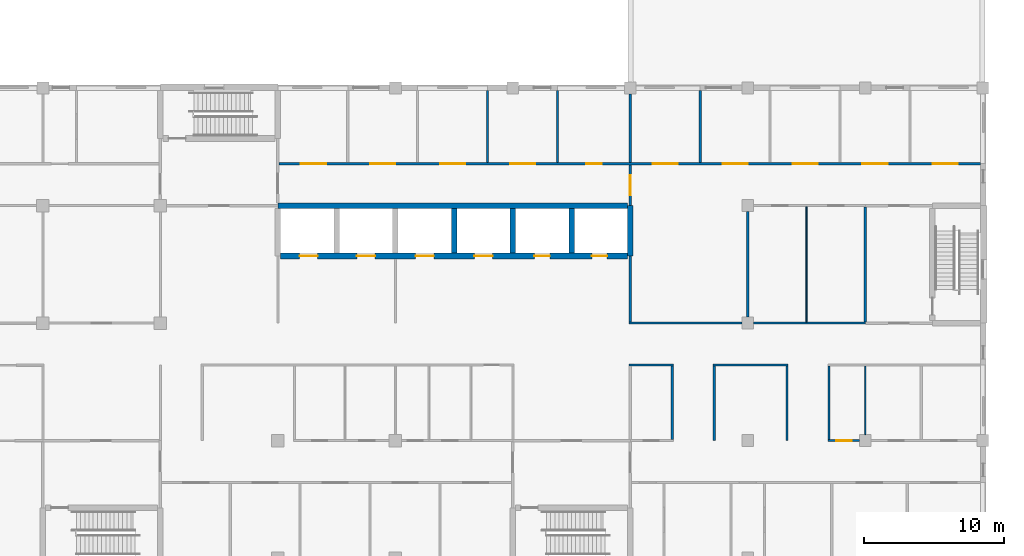
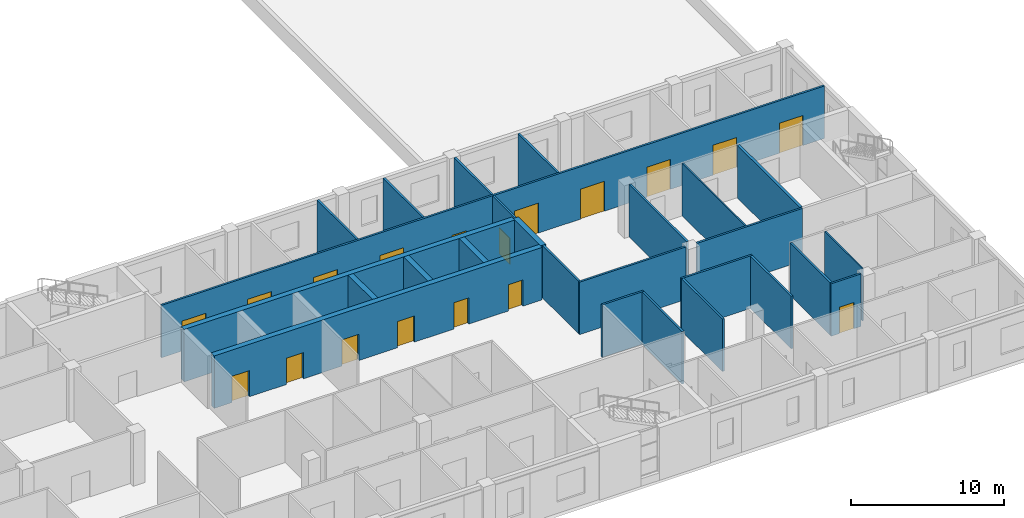
# One storey, part 47 of 66: 26 walls, 18 doors, 18 openings.
"""IFC4 building model written with IfcOpenShell, lengths in metres."""

from ifc_helpers import new_model, si_unit, direction, frame, frame_2d, origin, place, context, subcontext, project, spatial, rectangle, extrude, material, layer, layer_set, type_object, element, fill, save


model = new_model("IFC4")

# Units and contexts
model_context = context("Model", 3, precision=1e-05, world=origin(), true_north=direction((0.0, 1.0)))
body_context = subcontext(model_context, "Body", "Model", "MODEL_VIEW")
ifc_project = project(units=[si_unit("LENGTHUNIT", "METRE"), si_unit("AREAUNIT", "SQUARE_METRE"), si_unit("VOLUMEUNIT", "CUBIC_METRE"), si_unit("PLANEANGLEUNIT", "RADIAN"), si_unit("MASSUNIT", "GRAM", prefix="KILO")], contexts=[model_context])

# Site, building, storey
site_placement = place(None, origin())
site = spatial("IfcSite", under=ifc_project, at=site_placement, CompositionType="ELEMENT")
building_placement = place(site_placement, origin())
building = spatial("IfcBuilding", under=site, at=building_placement, Name="Yavir Park General Hospital", CompositionType="ELEMENT")
storey_placement = place(building_placement, frame((0.0, 0.0, 8.39990234375)))
storey = spatial("IfcBuildingStorey", under=building, at=storey_placement, Name="L02", CompositionType="ELEMENT", Elevation=8.39990234375)

# Walls
ifc_material_1 = material(Name="Double gypsum board fire partition on steel studs", Category="steel")
ifc_layer_1 = layer(ifc_material_1, 0.199951171875)
ifc_layer_set_1 = layer_set([ifc_layer_1], Name="Double gypsum board fire partition on steel studs")
wall_type_1 = type_object("IfcWallType", Name="Fire-rated partition 200, EI 60", PredefinedType="PARTITIONING", material=ifc_layer_set_1)
wall_1_placement = place(storey_placement, frame((159.60009765625, 16.89990234375, 0.0), z_axis=(0.0, 0.0, 1.0), x_axis=(0.0, 1.0, 0.0)))
element("IfcWall", 1, at=wall_1_placement, inside=storey, type_object=wall_type_1, Name="FP20 L02-337", PredefinedType="PARTITIONING", context=body_context, shape_type="SweptSolid", body=[
    extrude(rectangle(XDim=8.2001953125, YDim=0.199951171875, at=frame_2d((4.10009765625, 0.0))), origin(), (0.0, 0.0, 1.0), 4.2001953125),
])
ifc_material_2 = material(Name="Gypsum board partition on steel studs", Category="steel")
ifc_layer_2 = layer(ifc_material_2, 0.10009765625)
ifc_layer_set_2 = layer_set([ifc_layer_2], Name="Gypsum board partition on steel studs")
wall_type_2 = type_object("IfcWallType", Name="Gypsum board partition 100", PredefinedType="PARTITIONING", material=ifc_layer_set_2)
wall_2_placement = place(storey_placement, frame((155.39990234375, 16.875, 0.0), z_axis=(0.0, 0.0, 1.0), x_axis=(0.0, 1.0, 0.0)))
element("IfcWall", 2, at=wall_2_placement, inside=storey, type_object=wall_type_2, Name="P10 L02-331", PredefinedType="PARTITIONING", context=body_context, shape_type="SweptSolid", body=[
    extrude(rectangle(XDim=8.25, YDim=0.10009765625, at=frame_2d((4.125, 0.0))), origin(), (0.0, 0.0, 1.0), 4.2001953125),
])
wall_3_placement = place(storey_placement, frame((159.60009765625, 8.824951171875, 0.0), z_axis=(0.0, 0.0, 1.0), x_axis=(0.0, 1.0, 0.0)))
element("IfcWall", 3, at=wall_3_placement, inside=storey, type_object=wall_type_2, Name="P10 L02-336", PredefinedType="PARTITIONING", context=body_context, shape_type="SweptSolid", body=[
    extrude(rectangle(XDim=4.900146484375, YDim=0.10009765625, at=frame_2d((2.4501953125, 0.0))), origin(), (0.0, 0.0, 1.0), 4.2001953125),
])

# Wall, opening, door
ifc_material_3 = material(Name="Gypsum board partition on steel studs", Category="steel")
ifc_layer_3 = layer(ifc_material_3, 0.14990234375)
ifc_layer_set_3 = layer_set([ifc_layer_3], Name="Gypsum board partition on steel studs")
wall_type_3 = type_object("IfcWallType", Name="Gypsum board partition 150", PredefinedType="PARTITIONING", material=ifc_layer_set_3)
wall_4_placement = place(storey_placement, frame((156.925048828125, 8.39990234375, 0.0), z_axis=(0.0, 0.0, 1.0), x_axis=(1.0, 0.0, 0.0)))
wall_4 = element("IfcWall", 4, at=wall_4_placement, inside=storey, type_object=wall_type_3, Name="P15 L02-024", PredefinedType="PARTITIONING", context=body_context, shape_type="SweptSolid", body=[
    extrude(rectangle(XDim=2.25, YDim=0.14990234375, at=frame_2d((1.125, 0.0))), origin(), (0.0, 0.0, 1.0), 4.2001953125),
])
opening_1_placement = place(wall_4_placement, frame((0.612548828125, 0.0, 0.0)))
opening_1 = element("IfcOpeningElement", 5, at=opening_1_placement, cuts=wall_4, Name="Opening L02.D036", PredefinedType="OPENING", context=body_context, shape_type="SweptSolid", body=[
    extrude(rectangle(XDim=1.10009765625, YDim=2.10009765625, at=frame_2d((0.550048828125, 1.050048828125))), frame((0.0, 0.0849609375, 0.0), z_axis=(0.0, -1.0, 0.0), x_axis=(1.0, 0.0, 0.0)), (0.0, 0.0, 1.0), 0.169921875),
])
ifc_material_4 = material(Name="Hollow metal frame, solid-core timber leaf", Category="wood")
door_type_1 = type_object("IfcDoorType", Name="Single swing door 1100 x 2100", OperationType="SINGLE_SWING_LEFT", PredefinedType="DOOR", material=ifc_material_4)
door_1_placement = place(opening_1_placement, origin())
door_1 = element("IfcDoor", 6, at=door_1_placement, inside=storey, type_object=door_type_1, Name="L02.D036", OperationType="SINGLE_SWING_RIGHT", OverallHeight=2.10009765625, OverallWidth=1.10009765625, PredefinedType="DOOR", context=body_context, shape_type="SweptSolid", body=[
    extrude(rectangle(XDim=1.10009765625, YDim=2.10009765625, at=frame_2d((0.550048828125, 1.050048828125))), frame((0.0, 0.02490234375, 0.0), z_axis=(0.0, -1.0, 0.0), x_axis=(1.0, 0.0, 0.0)), (0.0, 0.0, 1.0), 0.050048828125),
])
fill(opening_1, door_1)

# Walls
wall_5_placement = place(storey_placement, frame((142.72509765625, 13.800048828125, 0.0), z_axis=(0.0, 0.0, 1.0), x_axis=(1.0, 0.0, 0.0)))
element("IfcWall", 7, at=wall_5_placement, inside=storey, type_object=wall_type_3, Name="P15 L02-031", PredefinedType="PARTITIONING", context=body_context, shape_type="SweptSolid", body=[
    extrude(rectangle(XDim=3.14990234375, YDim=0.14990234375, at=frame_2d((1.574951171875, 0.0))), origin(), (0.0, 0.0, 1.0), 4.2001953125),
])
wall_6_placement = place(storey_placement, frame((148.72509765625, 13.800048828125, 0.0), z_axis=(0.0, 0.0, 1.0), x_axis=(1.0, 0.0, 0.0)))
element("IfcWall", 8, at=wall_6_placement, inside=storey, type_object=wall_type_3, Name="P15 L02-032", PredefinedType="PARTITIONING", context=body_context, shape_type="SweptSolid", body=[
    extrude(rectangle(XDim=5.349853515625, YDim=0.14990234375, at=frame_2d((2.6748046875, 0.0))), origin(), (0.0, 0.0, 1.0), 4.2001953125),
])
wall_7_placement = place(storey_placement, frame((142.72509765625, 16.800048828125, 0.0), z_axis=(0.0, 0.0, 1.0), x_axis=(1.0, 0.0, 0.0)))
element("IfcWall", 9, at=wall_7_placement, inside=storey, type_object=wall_type_3, Name="P15 L02-045", PredefinedType="PARTITIONING", context=body_context, shape_type="SweptSolid", body=[
    extrude(rectangle(XDim=8.0498046875, YDim=0.14990234375, at=frame_2d((4.02490234375, 0.0))), origin(), (0.0, 0.0, 1.0), 4.2001953125),
])
wall_8_placement = place(storey_placement, frame((151.625, 16.800048828125, 0.0), z_axis=(0.0, 0.0, 1.0), x_axis=(1.0, 0.0, 0.0)))
element("IfcWall", 10, at=wall_8_placement, inside=storey, type_object=wall_type_3, Name="P15 L02-046", PredefinedType="PARTITIONING", context=body_context, shape_type="SweptSolid", body=[
    extrude(rectangle(XDim=7.97509765625, YDim=0.14990234375, at=frame_2d((3.987548828125, 0.0))), origin(), (0.0, 0.0, 1.0), 4.2001953125),
])

# Wall, openings, doors
wall_9_placement = place(storey_placement, frame((117.699951171875, 28.199951171875, 0.0), z_axis=(0.0, 0.0, 1.0), x_axis=(1.0, 0.0, 0.0)))
wall_9 = element("IfcWall", 11, at=wall_9_placement, inside=storey, type_object=wall_type_3, Name="P15 L02-077", PredefinedType="PARTITIONING", context=body_context, shape_type="SweptSolid", body=[
    extrude(rectangle(XDim=50.150146484375, YDim=0.14990234375, at=frame_2d((25.0751953125, 0.0))), origin(), (0.0, 0.0, 1.0), 4.2001953125),
])
opening_2_placement = place(wall_9_placement, frame((1.550048828125, 0.0, 0.0)))
opening_2 = element("IfcOpeningElement", 12, at=opening_2_placement, cuts=wall_9, Name="Opening L02.D089", PredefinedType="OPENING", context=body_context, shape_type="SweptSolid", body=[
    extrude(rectangle(XDim=1.800048828125, YDim=2.39990234375, at=frame_2d((0.89990234375, 1.199951171875))), frame((0.0, 0.0849609375, 0.0), z_axis=(0.0, -1.0, 0.0), x_axis=(1.0, 0.0, 0.0)), (0.0, 0.0, 1.0), 0.169921875),
])
opening_3_placement = place(wall_9_placement, frame((6.5, 0.0, 0.0)))
opening_3 = element("IfcOpeningElement", 13, at=opening_3_placement, cuts=wall_9, Name="Opening L02.D090", PredefinedType="OPENING", context=body_context, shape_type="SweptSolid", body=[
    extrude(rectangle(XDim=1.800048828125, YDim=2.39990234375, at=frame_2d((0.89990234375, 1.199951171875))), frame((0.0, 0.0849609375, 0.0), z_axis=(0.0, -1.0, 0.0), x_axis=(1.0, 0.0, 0.0)), (0.0, 0.0, 1.0), 0.169921875),
])
opening_4_placement = place(wall_9_placement, frame((11.5, 0.0, 0.0)))
opening_4 = element("IfcOpeningElement", 14, at=opening_4_placement, cuts=wall_9, Name="Opening L02.D091", PredefinedType="OPENING", context=body_context, shape_type="SweptSolid", body=[
    extrude(rectangle(XDim=1.800048828125, YDim=2.39990234375, at=frame_2d((0.89990234375, 1.199951171875))), frame((0.0, 0.0849609375, 0.0), z_axis=(0.0, -1.0, 0.0), x_axis=(1.0, 0.0, 0.0)), (0.0, 0.0, 1.0), 0.169921875),
])
opening_5_placement = place(wall_9_placement, frame((16.5, 0.0, 0.0)))
opening_5 = element("IfcOpeningElement", 15, at=opening_5_placement, cuts=wall_9, Name="Opening L02.D092", PredefinedType="OPENING", context=body_context, shape_type="SweptSolid", body=[
    extrude(rectangle(XDim=1.800048828125, YDim=2.39990234375, at=frame_2d((0.89990234375, 1.199951171875))), frame((0.0, 0.0849609375, 0.0), z_axis=(0.0, -1.0, 0.0), x_axis=(1.0, 0.0, 0.0)), (0.0, 0.0, 1.0), 0.169921875),
])
opening_6_placement = place(wall_9_placement, frame((21.949951171875, 0.0, 0.0)))
opening_6 = element("IfcOpeningElement", 16, at=opening_6_placement, cuts=wall_9, Name="Opening L02.D093", PredefinedType="OPENING", context=body_context, shape_type="SweptSolid", body=[
    extrude(rectangle(XDim=1.10009765625, YDim=2.10009765625, at=frame_2d((0.550048828125, 1.050048828125))), frame((0.0, 0.0849609375, 0.0), z_axis=(0.0, -1.0, 0.0), x_axis=(1.0, 0.0, 0.0)), (0.0, 0.0, 1.0), 0.169921875),
])
opening_7_placement = place(wall_9_placement, frame((26.699951171875, 0.0, 0.0)))
opening_7 = element("IfcOpeningElement", 17, at=opening_7_placement, cuts=wall_9, Name="Opening L02.D094", PredefinedType="OPENING", context=body_context, shape_type="SweptSolid", body=[
    extrude(rectangle(XDim=1.800048828125, YDim=2.39990234375, at=frame_2d((0.89990234375, 1.199951171875))), frame((0.0, 0.0849609375, 0.0), z_axis=(0.0, -1.0, 0.0), x_axis=(1.0, 0.0, 0.0)), (0.0, 0.0, 1.0), 0.169921875),
])
opening_8_placement = place(wall_9_placement, frame((31.699951171875, 0.0, 0.0)))
opening_8 = element("IfcOpeningElement", 18, at=opening_8_placement, cuts=wall_9, Name="Opening L02.D095", PredefinedType="OPENING", context=body_context, shape_type="SweptSolid", body=[
    extrude(rectangle(XDim=1.800048828125, YDim=2.39990234375, at=frame_2d((0.89990234375, 1.199951171875))), frame((0.0, 0.0849609375, 0.0), z_axis=(0.0, -1.0, 0.0), x_axis=(1.0, 0.0, 0.0)), (0.0, 0.0, 1.0), 0.169921875),
])
opening_9_placement = place(wall_9_placement, frame((36.699951171875, 0.0, 0.0)))
opening_9 = element("IfcOpeningElement", 19, at=opening_9_placement, cuts=wall_9, Name="Opening L02.D096", PredefinedType="OPENING", context=body_context, shape_type="SweptSolid", body=[
    extrude(rectangle(XDim=1.800048828125, YDim=2.39990234375, at=frame_2d((0.89990234375, 1.199951171875))), frame((0.0, 0.0849609375, 0.0), z_axis=(0.0, -1.0, 0.0), x_axis=(1.0, 0.0, 0.0)), (0.0, 0.0, 1.0), 0.169921875),
])
opening_10_placement = place(wall_9_placement, frame((41.699951171875, 0.0, 0.0)))
opening_10 = element("IfcOpeningElement", 20, at=opening_10_placement, cuts=wall_9, Name="Opening L02.D097", PredefinedType="OPENING", context=body_context, shape_type="SweptSolid", body=[
    extrude(rectangle(XDim=1.800048828125, YDim=2.39990234375, at=frame_2d((0.89990234375, 1.199951171875))), frame((0.0, 0.0849609375, 0.0), z_axis=(0.0, -1.0, 0.0), x_axis=(1.0, 0.0, 0.0)), (0.0, 0.0, 1.0), 0.169921875),
])
opening_11_placement = place(wall_9_placement, frame((46.72509765625, 0.0, 0.0)))
opening_11 = element("IfcOpeningElement", 21, at=opening_11_placement, cuts=wall_9, Name="Opening L02.D098", PredefinedType="OPENING", context=body_context, shape_type="SweptSolid", body=[
    extrude(rectangle(XDim=1.800048828125, YDim=2.39990234375, at=frame_2d((0.89990234375, 1.199951171875))), frame((0.0, 0.0849609375, 0.0), z_axis=(0.0, -1.0, 0.0), x_axis=(1.0, 0.0, 0.0)), (0.0, 0.0, 1.0), 0.169921875),
])
ifc_material_5 = material(Name="Aluminium frame, safety glass leaves", Category="aluminium")
door_type_2 = type_object("IfcDoorType", Name="Glazed bi-parting sliding door, intensive care 1800 x 2400", OperationType="DOUBLE_DOOR_SLIDING", PredefinedType="DOOR", material=ifc_material_5)
door_2_placement = place(opening_2_placement, origin())
door_2 = element("IfcDoor", 22, at=door_2_placement, inside=storey, type_object=door_type_2, Name="L02.D089", OperationType="DOUBLE_DOOR_SLIDING", OverallHeight=2.39990234375, OverallWidth=1.800048828125, PredefinedType="DOOR", context=body_context, shape_type="SweptSolid", body=[
    extrude(rectangle(XDim=1.800048828125, YDim=2.39990234375, at=frame_2d((0.89990234375, 1.199951171875))), frame((0.0, 0.03515625, 0.0), z_axis=(0.0, -1.0, 0.0), x_axis=(1.0, 0.0, 0.0)), (0.0, 0.0, 1.0), 0.070068359375),
])
fill(opening_2, door_2)
door_3_placement = place(opening_3_placement, origin())
door_3 = element("IfcDoor", 23, at=door_3_placement, inside=storey, type_object=door_type_2, Name="L02.D090", OperationType="DOUBLE_DOOR_SLIDING", OverallHeight=2.39990234375, OverallWidth=1.800048828125, PredefinedType="DOOR", context=body_context, shape_type="SweptSolid", body=[
    extrude(rectangle(XDim=1.800048828125, YDim=2.39990234375, at=frame_2d((0.89990234375, 1.199951171875))), frame((0.0, 0.03515625, 0.0), z_axis=(0.0, -1.0, 0.0), x_axis=(1.0, 0.0, 0.0)), (0.0, 0.0, 1.0), 0.070068359375),
])
fill(opening_3, door_3)
door_4_placement = place(opening_4_placement, origin())
door_4 = element("IfcDoor", 24, at=door_4_placement, inside=storey, type_object=door_type_2, Name="L02.D091", OperationType="DOUBLE_DOOR_SLIDING", OverallHeight=2.39990234375, OverallWidth=1.800048828125, PredefinedType="DOOR", context=body_context, shape_type="SweptSolid", body=[
    extrude(rectangle(XDim=1.800048828125, YDim=2.39990234375, at=frame_2d((0.89990234375, 1.199951171875))), frame((0.0, 0.03515625, 0.0), z_axis=(0.0, -1.0, 0.0), x_axis=(1.0, 0.0, 0.0)), (0.0, 0.0, 1.0), 0.070068359375),
])
fill(opening_4, door_4)
door_5_placement = place(opening_5_placement, origin())
door_5 = element("IfcDoor", 25, at=door_5_placement, inside=storey, type_object=door_type_2, Name="L02.D092", OperationType="DOUBLE_DOOR_SLIDING", OverallHeight=2.39990234375, OverallWidth=1.800048828125, PredefinedType="DOOR", context=body_context, shape_type="SweptSolid", body=[
    extrude(rectangle(XDim=1.800048828125, YDim=2.39990234375, at=frame_2d((0.89990234375, 1.199951171875))), frame((0.0, 0.03515625, 0.0), z_axis=(0.0, -1.0, 0.0), x_axis=(1.0, 0.0, 0.0)), (0.0, 0.0, 1.0), 0.070068359375),
])
fill(opening_5, door_5)
door_6_placement = place(opening_7_placement, origin())
door_6 = element("IfcDoor", 26, at=door_6_placement, inside=storey, type_object=door_type_2, Name="L02.D094", OperationType="DOUBLE_DOOR_SLIDING", OverallHeight=2.39990234375, OverallWidth=1.800048828125, PredefinedType="DOOR", context=body_context, shape_type="SweptSolid", body=[
    extrude(rectangle(XDim=1.800048828125, YDim=2.39990234375, at=frame_2d((0.89990234375, 1.199951171875))), frame((0.0, 0.03515625, 0.0), z_axis=(0.0, -1.0, 0.0), x_axis=(1.0, 0.0, 0.0)), (0.0, 0.0, 1.0), 0.070068359375),
])
fill(opening_7, door_6)
door_7_placement = place(opening_8_placement, origin())
door_7 = element("IfcDoor", 27, at=door_7_placement, inside=storey, type_object=door_type_2, Name="L02.D095", OperationType="DOUBLE_DOOR_SLIDING", OverallHeight=2.39990234375, OverallWidth=1.800048828125, PredefinedType="DOOR", context=body_context, shape_type="SweptSolid", body=[
    extrude(rectangle(XDim=1.800048828125, YDim=2.39990234375, at=frame_2d((0.89990234375, 1.199951171875))), frame((0.0, 0.03515625, 0.0), z_axis=(0.0, -1.0, 0.0), x_axis=(1.0, 0.0, 0.0)), (0.0, 0.0, 1.0), 0.070068359375),
])
fill(opening_8, door_7)
door_8_placement = place(opening_9_placement, origin())
door_8 = element("IfcDoor", 28, at=door_8_placement, inside=storey, type_object=door_type_2, Name="L02.D096", OperationType="DOUBLE_DOOR_SLIDING", OverallHeight=2.39990234375, OverallWidth=1.800048828125, PredefinedType="DOOR", context=body_context, shape_type="SweptSolid", body=[
    extrude(rectangle(XDim=1.800048828125, YDim=2.39990234375, at=frame_2d((0.89990234375, 1.199951171875))), frame((0.0, 0.03515625, 0.0), z_axis=(0.0, -1.0, 0.0), x_axis=(1.0, 0.0, 0.0)), (0.0, 0.0, 1.0), 0.070068359375),
])
fill(opening_9, door_8)
door_9_placement = place(opening_10_placement, origin())
door_9 = element("IfcDoor", 29, at=door_9_placement, inside=storey, type_object=door_type_2, Name="L02.D097", OperationType="DOUBLE_DOOR_SLIDING", OverallHeight=2.39990234375, OverallWidth=1.800048828125, PredefinedType="DOOR", context=body_context, shape_type="SweptSolid", body=[
    extrude(rectangle(XDim=1.800048828125, YDim=2.39990234375, at=frame_2d((0.89990234375, 1.199951171875))), frame((0.0, 0.03515625, 0.0), z_axis=(0.0, -1.0, 0.0), x_axis=(1.0, 0.0, 0.0)), (0.0, 0.0, 1.0), 0.070068359375),
])
fill(opening_10, door_9)
door_10_placement = place(opening_11_placement, origin())
door_10 = element("IfcDoor", 30, at=door_10_placement, inside=storey, type_object=door_type_2, Name="L02.D098", OperationType="DOUBLE_DOOR_SLIDING", OverallHeight=2.39990234375, OverallWidth=1.800048828125, PredefinedType="DOOR", context=body_context, shape_type="SweptSolid", body=[
    extrude(rectangle(XDim=1.800048828125, YDim=2.39990234375, at=frame_2d((0.89990234375, 1.199951171875))), frame((0.0, 0.03515625, 0.0), z_axis=(0.0, -1.0, 0.0), x_axis=(1.0, 0.0, 0.0)), (0.0, 0.0, 1.0), 0.070068359375),
])
fill(opening_11, door_10)
door_11_placement = place(opening_6_placement, origin())
door_11 = element("IfcDoor", 31, at=door_11_placement, inside=storey, type_object=door_type_1, Name="L02.D093", OperationType="SINGLE_SWING_RIGHT", OverallHeight=2.10009765625, OverallWidth=1.10009765625, PredefinedType="DOOR", context=body_context, shape_type="SweptSolid", body=[
    extrude(rectangle(XDim=1.10009765625, YDim=2.10009765625, at=frame_2d((0.550048828125, 1.050048828125))), frame((0.0, 0.02490234375, 0.0), z_axis=(0.0, -1.0, 0.0), x_axis=(1.0, 0.0, 0.0)), (0.0, 0.0, 1.0), 0.050048828125),
])
fill(opening_6, door_11)

# Walls
for number, where, z_axis, x_axis, name in (
    (32, (132.60009765625, 28.27490234375, 0.0), (0.0, 0.0, 1.0), (0.0, 1.0, 0.0), "P15 L02-306"),
    (33, (137.60009765625, 28.27490234375, 0.0), (0.0, 0.0, 1.0), (0.0, 1.0, 0.0), "P15 L02-311"),
):
    element("IfcWall", number, at=place(storey_placement, frame(where, z_axis=z_axis, x_axis=x_axis)), inside=storey, type_object=wall_type_3, Name=name, PredefinedType="PARTITIONING", context=body_context, shape_type="SweptSolid", body=[
        extrude(rectangle(XDim=5.175048828125, YDim=0.14990234375, at=frame_2d((2.58740234375, 0.0))), origin(), (0.0, 0.0, 1.0), 4.2001953125),
    ])
wall_10_placement = place(storey_placement, frame((142.800048828125, 16.875, 0.0), z_axis=(0.0, 0.0, 1.0), x_axis=(0.0, 1.0, 0.0)))
element("IfcWall", 34, at=wall_10_placement, inside=storey, type_object=wall_type_3, Name="P15 L02-316", PredefinedType="PARTITIONING", context=body_context, shape_type="SweptSolid", body=[
    extrude(rectangle(XDim=4.72509765625, YDim=0.14990234375, at=frame_2d((2.362548828125, 0.0))), origin(), (0.0, 0.0, 1.0), 4.2001953125),
])

# Wall, opening, door
wall_11_placement = place(storey_placement, frame((142.800048828125, 25.199951171875, 0.0), z_axis=(0.0, 0.0, 1.0), x_axis=(0.0, 1.0, 0.0)))
wall_11 = element("IfcWall", 35, at=wall_11_placement, inside=storey, type_object=wall_type_3, Name="P15 L02-318", PredefinedType="PARTITIONING", context=body_context, shape_type="SweptSolid", body=[
    extrude(rectangle(XDim=2.925048828125, YDim=0.14990234375, at=frame_2d((1.46240234375, 0.0))), origin(), (0.0, 0.0, 1.0), 4.2001953125),
])
opening_12_placement = place(wall_11_placement, frame((0.762451171875, 0.0, 0.0)))
opening_12 = element("IfcOpeningElement", 36, at=opening_12_placement, cuts=wall_11, Name="Opening L02.D186", PredefinedType="OPENING", context=body_context, shape_type="SweptSolid", body=[
    extrude(rectangle(XDim=1.39990234375, YDim=2.10009765625, at=frame_2d((0.699951171875, 1.050048828125))), frame((0.0, 0.0849609375, 0.0), z_axis=(0.0, -1.0, 0.0), x_axis=(1.0, 0.0, 0.0)), (0.0, 0.0, 1.0), 0.169921875),
])
ifc_material_6 = material(Name="Hollow metal frame, solid-core timber leaf", Category="wood")
door_type_3 = type_object("IfcDoorType", Name="Double swing door 1400 x 2100", OperationType="DOUBLE_DOOR_SINGLE_SWING", PredefinedType="DOOR", material=ifc_material_6)
door_12_placement = place(opening_12_placement, origin())
door_12 = element("IfcDoor", 37, at=door_12_placement, inside=storey, type_object=door_type_3, Name="L02.D186", OperationType="SINGLE_SWING_RIGHT", OverallHeight=2.10009765625, OverallWidth=1.39990234375, PredefinedType="DOOR", context=body_context, shape_type="SweptSolid", body=[
    extrude(rectangle(XDim=1.39990234375, YDim=2.10009765625, at=frame_2d((0.699951171875, 1.050048828125))), frame((0.0, 0.02490234375, 0.0), z_axis=(0.0, -1.0, 0.0), x_axis=(1.0, 0.0, 0.0)), (0.0, 0.0, 1.0), 0.050048828125),
])
fill(opening_12, door_12)

# Walls
wall_12_placement = place(storey_placement, frame((142.800048828125, 28.27490234375, 0.0), z_axis=(0.0, 0.0, 1.0), x_axis=(0.0, 1.0, 0.0)))
element("IfcWall", 38, at=wall_12_placement, inside=storey, type_object=wall_type_3, Name="P15 L02-319", PredefinedType="PARTITIONING", context=body_context, shape_type="SweptSolid", body=[
    extrude(rectangle(XDim=4.900146484375, YDim=0.14990234375, at=frame_2d((2.4501953125, 0.0))), origin(), (0.0, 0.0, 1.0), 4.2001953125),
])
wall_13_placement = place(storey_placement, frame((145.800048828125, 8.47509765625, 0.0), z_axis=(0.0, 0.0, 1.0), x_axis=(0.0, 1.0, 0.0)))
element("IfcWall", 39, at=wall_13_placement, inside=storey, type_object=wall_type_3, Name="P15 L02-321", PredefinedType="PARTITIONING", context=body_context, shape_type="SweptSolid", body=[
    extrude(rectangle(XDim=5.25, YDim=0.14990234375, at=frame_2d((2.625, 0.0))), origin(), (0.0, 0.0, 1.0), 4.2001953125),
])
wall_14_placement = place(storey_placement, frame((147.800048828125, 28.27490234375, 0.0), z_axis=(0.0, 0.0, 1.0), x_axis=(0.0, 1.0, 0.0)))
element("IfcWall", 40, at=wall_14_placement, inside=storey, type_object=wall_type_3, Name="P15 L02-323", PredefinedType="PARTITIONING", context=body_context, shape_type="SweptSolid", body=[
    extrude(rectangle(XDim=5.175048828125, YDim=0.14990234375, at=frame_2d((2.58740234375, 0.0))), origin(), (0.0, 0.0, 1.0), 4.2001953125),
])
wall_15_placement = place(storey_placement, frame((148.800048828125, 8.39990234375, 0.0), z_axis=(0.0, 0.0, 1.0), x_axis=(0.0, 1.0, 0.0)))
element("IfcWall", 41, at=wall_15_placement, inside=storey, type_object=wall_type_3, Name="P15 L02-324", PredefinedType="PARTITIONING", context=body_context, shape_type="SweptSolid", body=[
    extrude(rectangle(XDim=5.3251953125, YDim=0.14990234375, at=frame_2d((2.66259765625, 0.0))), origin(), (0.0, 0.0, 1.0), 4.2001953125),
])
wall_16_placement = place(storey_placement, frame((151.199951171875, 17.22509765625, 0.0), z_axis=(0.0, 0.0, 1.0), x_axis=(0.0, 1.0, 0.0)))
element("IfcWall", 42, at=wall_16_placement, inside=storey, type_object=wall_type_3, Name="P15 L02-326", PredefinedType="PARTITIONING", context=body_context, shape_type="SweptSolid", body=[
    extrude(rectangle(XDim=7.5498046875, YDim=0.14990234375, at=frame_2d((3.77490234375, 0.0))), origin(), (0.0, 0.0, 1.0), 4.2001953125),
])
wall_17_placement = place(storey_placement, frame((154.0, 8.39990234375, 0.0), z_axis=(0.0, 0.0, 1.0), x_axis=(0.0, 1.0, 0.0)))
element("IfcWall", 43, at=wall_17_placement, inside=storey, type_object=wall_type_3, Name="P15 L02-330", PredefinedType="PARTITIONING", context=body_context, shape_type="SweptSolid", body=[
    extrude(rectangle(XDim=5.3251953125, YDim=0.14990234375, at=frame_2d((2.66259765625, 0.0))), origin(), (0.0, 0.0, 1.0), 4.2001953125),
])
wall_18_placement = place(storey_placement, frame((157.0, 8.47509765625, 0.0), z_axis=(0.0, 0.0, 1.0), x_axis=(0.0, 1.0, 0.0)))
element("IfcWall", 44, at=wall_18_placement, inside=storey, type_object=wall_type_3, Name="P15 L02-333", PredefinedType="PARTITIONING", context=body_context, shape_type="SweptSolid", body=[
    extrude(rectangle(XDim=5.25, YDim=0.14990234375, at=frame_2d((2.625, 0.0))), origin(), (0.0, 0.0, 1.0), 4.2001953125),
])

# Wall, openings, doors
ifc_material_7 = material(Name="Concrete C35/45", Category="concrete")
ifc_layer_4 = layer(ifc_material_7, 0.39990234375)
ifc_layer_set_4 = layer_set([ifc_layer_4], Name="Concrete C35/45")
wall_type_4 = type_object("IfcWallType", Name="Reinforced concrete core wall 400, REI 150", PredefinedType="SHEAR", material=ifc_layer_set_4)
wall_19_placement = place(storey_placement, frame((117.800048828125, 21.60009765625, 0.0), z_axis=(0.0, 0.0, 1.0), x_axis=(1.0, 0.0, 0.0)))
wall_19 = element("IfcWall", 45, at=wall_19_placement, inside=storey, type_object=wall_type_4, Name="CW40 L02-052", PredefinedType="SHEAR", context=body_context, shape_type="SweptSolid", body=[
    extrude(rectangle(XDim=24.800048828125, YDim=0.39990234375, at=frame_2d((12.39990234375, 0.0))), origin(), (0.0, 0.0, 1.0), 4.2001953125),
])
opening_13_placement = place(wall_19_placement, frame((1.35009765625, 0.0, 0.0)))
opening_13 = element("IfcOpeningElement", 46, at=opening_13_placement, cuts=wall_19, Name="Opening L02.D068", PredefinedType="OPENING", context=body_context, shape_type="SweptSolid", body=[
    extrude(rectangle(XDim=1.300048828125, YDim=2.10009765625, at=frame_2d((0.64990234375, 1.050048828125))), frame((0.0, 0.2099609375, 0.0), z_axis=(0.0, -1.0, 0.0), x_axis=(1.0, 0.0, 0.0)), (0.0, 0.0, 1.0), 0.419921875),
])
opening_14_placement = place(wall_19_placement, frame((5.449951171875, 0.0, 0.0)))
opening_14 = element("IfcOpeningElement", 47, at=opening_14_placement, cuts=wall_19, Name="Opening L02.D069", PredefinedType="OPENING", context=body_context, shape_type="SweptSolid", body=[
    extrude(rectangle(XDim=1.300048828125, YDim=2.10009765625, at=frame_2d((0.64990234375, 1.050048828125))), frame((0.0, 0.2099609375, 0.0), z_axis=(0.0, -1.0, 0.0), x_axis=(1.0, 0.0, 0.0)), (0.0, 0.0, 1.0), 0.419921875),
])
opening_15_placement = place(wall_19_placement, frame((9.64990234375, 0.0, 0.0)))
opening_15 = element("IfcOpeningElement", 48, at=opening_15_placement, cuts=wall_19, Name="Opening L02.D070", PredefinedType="OPENING", context=body_context, shape_type="SweptSolid", body=[
    extrude(rectangle(XDim=1.300048828125, YDim=2.10009765625, at=frame_2d((0.64990234375, 1.050048828125))), frame((0.0, 0.2099609375, 0.0), z_axis=(0.0, -1.0, 0.0), x_axis=(1.0, 0.0, 0.0)), (0.0, 0.0, 1.0), 0.419921875),
])
opening_16_placement = place(wall_19_placement, frame((13.85009765625, 0.0, 0.0)))
opening_16 = element("IfcOpeningElement", 49, at=opening_16_placement, cuts=wall_19, Name="Opening L02.D071", PredefinedType="OPENING", context=body_context, shape_type="SweptSolid", body=[
    extrude(rectangle(XDim=1.300048828125, YDim=2.10009765625, at=frame_2d((0.64990234375, 1.050048828125))), frame((0.0, 0.2099609375, 0.0), z_axis=(0.0, -1.0, 0.0), x_axis=(1.0, 0.0, 0.0)), (0.0, 0.0, 1.0), 0.419921875),
])
opening_17_placement = place(wall_19_placement, frame((18.14990234375, 0.0, 0.0)))
opening_17 = element("IfcOpeningElement", 50, at=opening_17_placement, cuts=wall_19, Name="Opening L02.D072", PredefinedType="OPENING", context=body_context, shape_type="SweptSolid", body=[
    extrude(rectangle(XDim=1.10009765625, YDim=2.10009765625, at=frame_2d((0.550048828125, 1.050048828125))), frame((0.0, 0.2099609375, 0.0), z_axis=(0.0, -1.0, 0.0), x_axis=(1.0, 0.0, 0.0)), (0.0, 0.0, 1.0), 0.419921875),
])
opening_18_placement = place(wall_19_placement, frame((22.25, 0.0, 0.0)))
opening_18 = element("IfcOpeningElement", 51, at=opening_18_placement, cuts=wall_19, Name="Opening L02.D073", PredefinedType="OPENING", context=body_context, shape_type="SweptSolid", body=[
    extrude(rectangle(XDim=1.10009765625, YDim=2.10009765625, at=frame_2d((0.550048828125, 1.050048828125))), frame((0.0, 0.2099609375, 0.0), z_axis=(0.0, -1.0, 0.0), x_axis=(1.0, 0.0, 0.0)), (0.0, 0.0, 1.0), 0.419921875),
])
ifc_material_8 = material(Name="Stainless steel landing door panels", Category="steel")
door_type_4 = type_object("IfcDoorType", Name="Lift landing door 1100 x 2100, EI 60", OperationType="SLIDING_TO_LEFT", PredefinedType="DOOR", material=ifc_material_8)
door_13_placement = place(opening_17_placement, origin())
door_13 = element("IfcDoor", 52, at=door_13_placement, inside=storey, type_object=door_type_4, Name="L02.D072", OperationType="SLIDING_TO_LEFT", OverallHeight=2.10009765625, OverallWidth=1.10009765625, PredefinedType="DOOR", context=body_context, shape_type="SweptSolid", body=[
    extrude(rectangle(XDim=1.10009765625, YDim=2.10009765625, at=frame_2d((0.550048828125, 1.050048828125))), frame((0.0, 0.02490234375, 0.0), z_axis=(0.0, -1.0, 0.0), x_axis=(1.0, 0.0, 0.0)), (0.0, 0.0, 1.0), 0.050048828125),
])
fill(opening_17, door_13)
door_14_placement = place(opening_18_placement, origin())
door_14 = element("IfcDoor", 53, at=door_14_placement, inside=storey, type_object=door_type_4, Name="L02.D073", OperationType="SLIDING_TO_LEFT", OverallHeight=2.10009765625, OverallWidth=1.10009765625, PredefinedType="DOOR", context=body_context, shape_type="SweptSolid", body=[
    extrude(rectangle(XDim=1.10009765625, YDim=2.10009765625, at=frame_2d((0.550048828125, 1.050048828125))), frame((0.0, 0.02490234375, 0.0), z_axis=(0.0, -1.0, 0.0), x_axis=(1.0, 0.0, 0.0)), (0.0, 0.0, 1.0), 0.050048828125),
])
fill(opening_18, door_14)
ifc_material_9 = material(Name="Stainless steel landing door panels", Category="steel")
door_type_5 = type_object("IfcDoorType", Name="Lift landing door 1300 x 2100, EI 60", OperationType="SLIDING_TO_LEFT", PredefinedType="DOOR", material=ifc_material_9)
door_15_placement = place(opening_13_placement, origin())
door_15 = element("IfcDoor", 54, at=door_15_placement, inside=storey, type_object=door_type_5, Name="L02.D068", OperationType="SLIDING_TO_LEFT", OverallHeight=2.10009765625, OverallWidth=1.300048828125, PredefinedType="DOOR", context=body_context, shape_type="SweptSolid", body=[
    extrude(rectangle(XDim=1.300048828125, YDim=2.10009765625, at=frame_2d((0.64990234375, 1.050048828125))), frame((0.0, 0.02490234375, 0.0), z_axis=(0.0, -1.0, 0.0), x_axis=(1.0, 0.0, 0.0)), (0.0, 0.0, 1.0), 0.050048828125),
])
fill(opening_13, door_15)
door_16_placement = place(opening_14_placement, origin())
door_16 = element("IfcDoor", 55, at=door_16_placement, inside=storey, type_object=door_type_5, Name="L02.D069", OperationType="SLIDING_TO_LEFT", OverallHeight=2.10009765625, OverallWidth=1.300048828125, PredefinedType="DOOR", context=body_context, shape_type="SweptSolid", body=[
    extrude(rectangle(XDim=1.300048828125, YDim=2.10009765625, at=frame_2d((0.64990234375, 1.050048828125))), frame((0.0, 0.02490234375, 0.0), z_axis=(0.0, -1.0, 0.0), x_axis=(1.0, 0.0, 0.0)), (0.0, 0.0, 1.0), 0.050048828125),
])
fill(opening_14, door_16)
door_17_placement = place(opening_15_placement, origin())
door_17 = element("IfcDoor", 56, at=door_17_placement, inside=storey, type_object=door_type_5, Name="L02.D070", OperationType="SLIDING_TO_LEFT", OverallHeight=2.10009765625, OverallWidth=1.300048828125, PredefinedType="DOOR", context=body_context, shape_type="SweptSolid", body=[
    extrude(rectangle(XDim=1.300048828125, YDim=2.10009765625, at=frame_2d((0.64990234375, 1.050048828125))), frame((0.0, 0.02490234375, 0.0), z_axis=(0.0, -1.0, 0.0), x_axis=(1.0, 0.0, 0.0)), (0.0, 0.0, 1.0), 0.050048828125),
])
fill(opening_15, door_17)
door_18_placement = place(opening_16_placement, origin())
door_18 = element("IfcDoor", 57, at=door_18_placement, inside=storey, type_object=door_type_5, Name="L02.D071", OperationType="SLIDING_TO_LEFT", OverallHeight=2.10009765625, OverallWidth=1.300048828125, PredefinedType="DOOR", context=body_context, shape_type="SweptSolid", body=[
    extrude(rectangle(XDim=1.300048828125, YDim=2.10009765625, at=frame_2d((0.64990234375, 1.050048828125))), frame((0.0, 0.02490234375, 0.0), z_axis=(0.0, -1.0, 0.0), x_axis=(1.0, 0.0, 0.0)), (0.0, 0.0, 1.0), 0.050048828125),
])
fill(opening_16, door_18)

# Walls
wall_20_placement = place(storey_placement, frame((117.60009765625, 25.199951171875, 0.0), z_axis=(0.0, 0.0, 1.0), x_axis=(1.0, 0.0, 0.0)))
element("IfcWall", 58, at=wall_20_placement, inside=storey, type_object=wall_type_4, Name="CW40 L02-068", PredefinedType="SHEAR", context=body_context, shape_type="SweptSolid", body=[
    extrude(rectangle(XDim=25.0, YDim=0.39990234375, at=frame_2d((12.5, 0.0))), origin(), (0.0, 0.0, 1.0), 4.2001953125),
])
for number, where, z_axis, x_axis, name in (
    (59, (130.199951171875, 21.800048828125, 0.0), (0.0, 0.0, 1.0), (0.0, 1.0, 0.0), "CW40 L02-304"),
    (60, (134.39990234375, 21.800048828125, 0.0), (0.0, 0.0, 1.0), (0.0, 1.0, 0.0), "CW40 L02-310"),
    (61, (138.60009765625, 21.800048828125, 0.0), (0.0, 0.0, 1.0), (0.0, 1.0, 0.0), "CW40 L02-312"),
):
    element("IfcWall", number, at=place(storey_placement, frame(where, z_axis=z_axis, x_axis=x_axis)), inside=storey, type_object=wall_type_4, Name=name, PredefinedType="SHEAR", context=body_context, shape_type="SweptSolid", body=[
        extrude(rectangle(XDim=3.199951171875, YDim=0.39990234375, at=frame_2d((1.60009765625, 0.0))), origin(), (0.0, 0.0, 1.0), 4.2001953125),
    ])
wall_21_placement = place(storey_placement, frame((142.800048828125, 21.60009765625, 0.0), z_axis=(0.0, 0.0, 1.0), x_axis=(0.0, 1.0, 0.0)))
element("IfcWall", 62, at=wall_21_placement, inside=storey, type_object=wall_type_4, Name="CW40 L02-317", PredefinedType="SHEAR", context=body_context, shape_type="SweptSolid", body=[
    extrude(rectangle(XDim=3.599853515625, YDim=0.39990234375, at=frame_2d((1.7998046875, 0.0))), origin(), (0.0, 0.0, 1.0), 4.2001953125),
])

save(model, "model.ifc")
